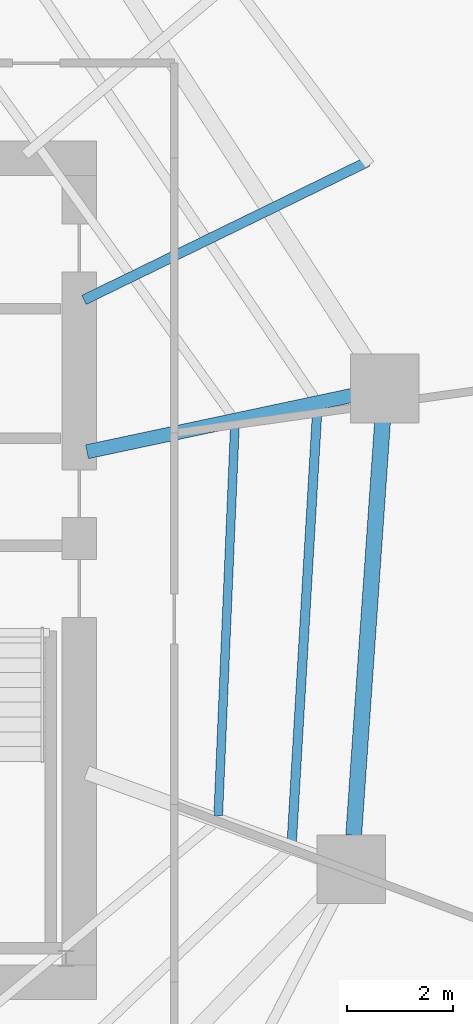
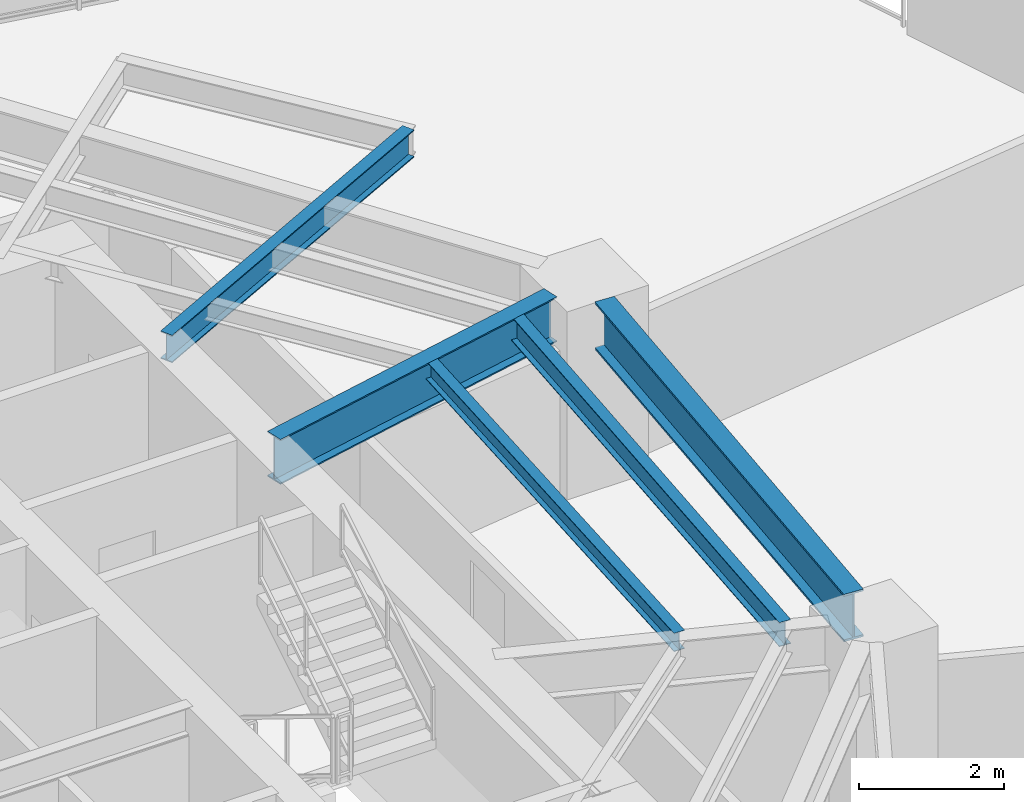
# One storey, part 15 of 33: 5 beams.
"""IFC4 building model written with IfcOpenShell, lengths in metres."""

from ifc_helpers import new_model, si_unit, direction, frame, origin, origin_2d, place, context, subcontext, project, spatial, i_section, extrude, material, material_profile, profile_set, type_object, element, save


model = new_model("IFC4")

# Units and contexts
model_context = context("Model", 3, precision=1e-05, world=origin(), true_north=direction((0.0, 1.0)))
body_context = subcontext(model_context, "Body", "Model", "MODEL_VIEW")
ifc_project = project(units=[si_unit("LENGTHUNIT", "METRE"), si_unit("AREAUNIT", "SQUARE_METRE"), si_unit("VOLUMEUNIT", "CUBIC_METRE"), si_unit("PLANEANGLEUNIT", "RADIAN"), si_unit("MASSUNIT", "GRAM", prefix="KILO")], contexts=[model_context])

# Site, building, storey
site_placement = place(None, origin())
site = spatial("IfcSite", under=ifc_project, at=site_placement, CompositionType="ELEMENT")
building_placement = place(site_placement, origin())
building = spatial("IfcBuilding", under=site, at=building_placement, Name="Qarnah Convention Tower", CompositionType="ELEMENT")
storey_placement = place(building_placement, frame((0.0, 0.0, 27.0)))
storey = spatial("IfcBuildingStorey", under=building, at=storey_placement, Name="L05", CompositionType="ELEMENT", Elevation=27.0)

# Beams
ifc_material = material(Name="Structural steel S355JR", Category="steel")
ifc_material_profile_1 = material_profile(ifc_material, i_section(OverallWidth=0.19189453125, OverallDepth=0.464111328125, WebThickness=0.010986328125, FlangeThickness=0.01806640625, at=origin_2d()), Name="W460X89")
ifc_profile_set_1 = profile_set([ifc_material_profile_1], Name="Structural steel S355JR")
beam_type_1 = type_object("IfcBeamType", Name="BM-CANT-W460A", PredefinedType="BEAM", material=ifc_profile_set_1)
beam_1_placement = place(storey_placement, frame((47.68994140625, 31.51611328125, 2.93798828125), z_axis=(0.898845814475, 0.438264990388, 0.0), x_axis=(-0.438264990388, 0.898845814475, 0.0)))
element("IfcBeam", 1, at=beam_1_placement, inside=storey, type_object=beam_type_1, Name="L05 beam BM-L05-CNT-01-1", PredefinedType="BEAM", context=body_context, shape_type="SweptSolid", body=[
    extrude(i_section(OverallWidth=0.19189453125, OverallDepth=0.464111328125, WebThickness=0.010986328125, FlangeThickness=0.01806640625, at=origin_2d()), origin(), (0.0, 0.0, 1.0), 5.973388671875),
])
ifc_material_profile_2 = material_profile(ifc_material, i_section(OverallWidth=0.166015625, OverallDepth=0.31201171875, WebThickness=0.007080078125, FlangeThickness=0.010986328125, at=origin_2d()), Name="W310X45")
ifc_profile_set_2 = profile_set([ifc_material_profile_2], Name="Structural steel S355JR")
beam_type_2 = type_object("IfcBeamType", Name="BM-JST-W310", PredefinedType="JOIST", material=ifc_profile_set_2)
beam_2_placement = place(storey_placement, frame((50.23193359375, 21.7490234375, 3.013916015625), z_axis=(0.042691854151, 0.999088287184, 0.0), x_axis=(-0.999088287184, 0.042691854151, 0.0)))
element("IfcBeam", 2, at=beam_2_placement, inside=storey, type_object=beam_type_2, Name="L05 joist BM-L05-IJST-09", PredefinedType="JOIST", context=body_context, shape_type="SweptSolid", body=[
    extrude(i_section(OverallWidth=0.166015625, OverallDepth=0.31201171875, WebThickness=0.007080078125, FlangeThickness=0.010986328125, at=origin_2d()), origin(), (0.0, 0.0, 1.0), 7.40576171875),
])
ifc_material_profile_3 = material_profile(ifc_material, i_section(OverallWidth=0.177978515625, OverallDepth=0.407958984375, WebThickness=0.008056640625, FlangeThickness=0.012939453125, at=origin_2d()), Name="W410X60")
ifc_profile_set_3 = profile_set([ifc_material_profile_3], Name="Structural steel S355JR")
beam_type_3 = type_object("IfcBeamType", Name="BM-JST-W410", PredefinedType="JOIST", material=ifc_profile_set_3)
beam_3_placement = place(storey_placement, frame((51.6240234375, 21.241943359375, 2.966064453125), z_axis=(0.058902383337, 0.998263747332, 0.0), x_axis=(-0.998263747332, 0.058902383337, 0.0)))
element("IfcBeam", 3, at=beam_3_placement, inside=storey, type_object=beam_type_3, Name="L05 joist BM-L05-SJST-09", PredefinedType="JOIST", context=body_context, shape_type="SweptSolid", body=[
    extrude(i_section(OverallWidth=0.177978515625, OverallDepth=0.407958984375, WebThickness=0.008056640625, FlangeThickness=0.012939453125, at=origin_2d()), origin(), (0.0, 0.0, 1.0), 8.25244140625),
])
ifc_material_profile_4 = material_profile(ifc_material, i_section(OverallWidth=0.26806640625, OverallDepth=0.760009765625, WebThickness=0.014892578125, FlangeThickness=0.02197265625, at=origin_2d()), Name="W760X185")
ifc_profile_set_4 = profile_set([ifc_material_profile_4], Name="Structural steel S355JR")
beam_type_4 = type_object("IfcBeamType", Name="BM-RAD-W760", PredefinedType="BEAM", material=ifc_profile_set_4)
beam_4_placement = place(storey_placement, frame((47.7470703125, 28.64208984375, 2.7900390625), z_axis=(0.978155710431, 0.207873534031, 0.0), x_axis=(-0.207873534031, 0.978155710431, 0.0)))
element("IfcBeam", 4, at=beam_4_placement, inside=storey, type_object=beam_type_4, Name="L05 beam BM-L05-RAD-01", PredefinedType="BEAM", context=body_context, shape_type="SweptSolid", body=[
    extrude(i_section(OverallWidth=0.26806640625, OverallDepth=0.760009765625, WebThickness=0.014892578125, FlangeThickness=0.02197265625, at=origin_2d()), origin(), (0.0, 0.0, 1.0), 5.13720703125),
])
ifc_material_profile_5 = material_profile(ifc_material, i_section(OverallWidth=0.300048828125, OverallDepth=0.800048828125, WebThickness=0.01806640625, FlangeThickness=0.032958984375, at=origin_2d()), Name="HEB800")
ifc_profile_set_5 = profile_set([ifc_material_profile_5], Name="Structural steel S355JR")
beam_type_5 = type_object("IfcBeamType", Name="BM-RING-HEB800", PredefinedType="BEAM", material=ifc_profile_set_5)
beam_5_placement = place(storey_placement, frame((52.797119140625, 21.3779296875, 2.77001953125), z_axis=(0.069594661237, 0.997575352105, 0.0), x_axis=(-0.997575352105, 0.069594661237, 0.0)))
element("IfcBeam", 5, at=beam_5_placement, inside=storey, type_object=beam_type_5, Name="L05 beam BM-L05-SPN-09", PredefinedType="BEAM", context=body_context, shape_type="SweptSolid", body=[
    extrude(i_section(OverallWidth=0.300048828125, OverallDepth=0.800048828125, WebThickness=0.01806640625, FlangeThickness=0.032958984375, at=origin_2d()), origin(), (0.0, 0.0, 1.0), 7.843994140625),
])

save(model, "model.ifc")
